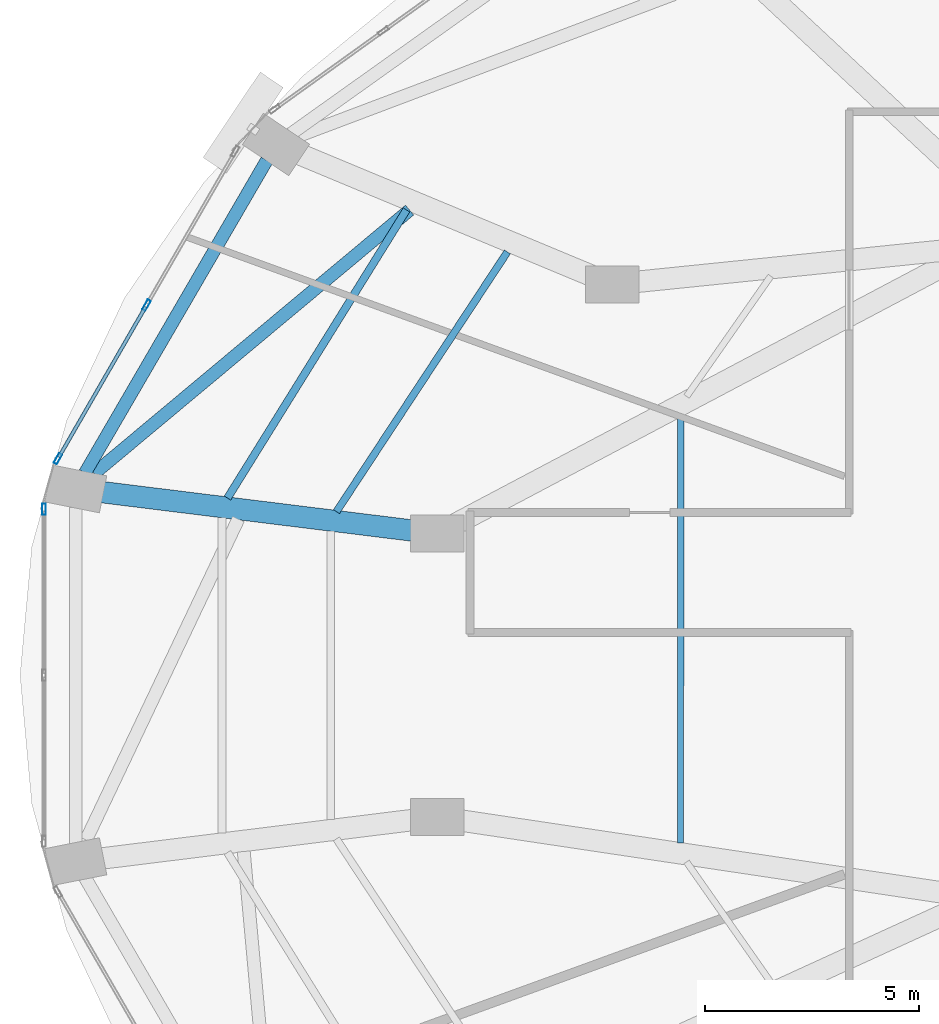
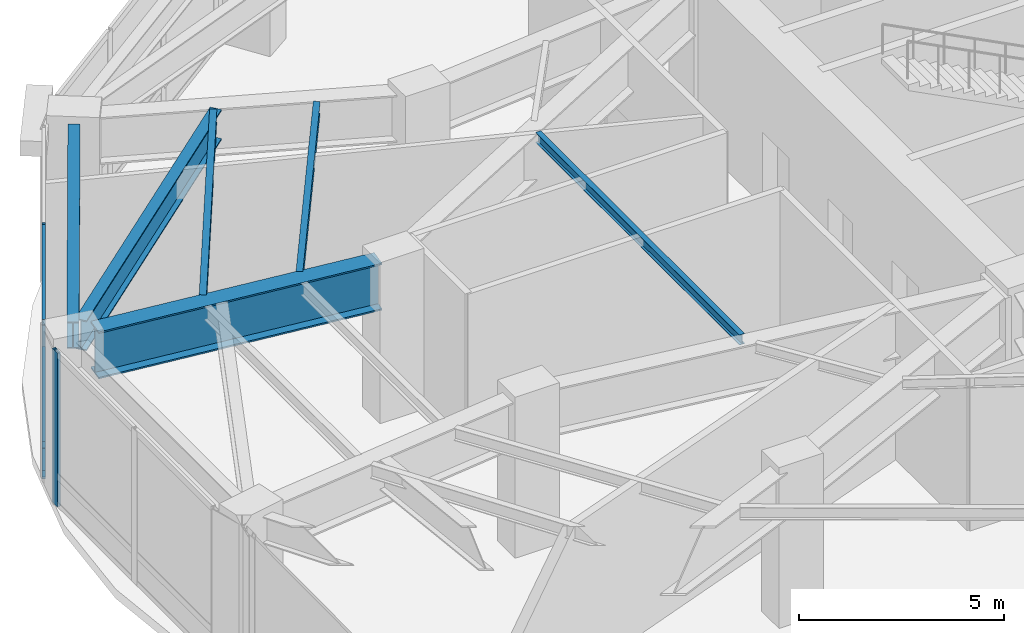
# One storey, part 8 of 24: 6 beams, 6 members, 2 elements without a shape of their own.
"""IFC4 building model written with IfcOpenShell, lengths in metres."""

import ifcopenshell
import ifcopenshell.guid

model = None  # the IFC model being written
_history = None  # IfcOwnerHistory: only IFC2X3 demands one
_inside = {}  # id of a spatial element -> (the spatial element, [elements in it])
_under = {}  # id of a project, library or spatial element -> (it, [spatial elements below it])
_declared = {}  # id of a project -> (the project, [libraries it declares])
_typed = {}  # id of a type object -> (the type object, [elements of that type])
_made_of = {}  # id of a material, layer set ... -> (it, [elements and type objects made of it])


def new_model(schema):
    """Start an empty IFC model of exactly this schema.

    Asked for "IFC4X3", IfcOpenShell would pick the latest addendum, in which some entities
    have other attributes; the version numbers below select the first issue.
    IFC2X3 requires an IfcOwnerHistory on every rooted entity: one is made here for all.
    """
    global model, _history
    if schema == "IFC4X3":
        model = ifcopenshell.file(schema_version=(4, 3, 0, 0))
    else:
        model = ifcopenshell.file(schema=schema)
    _inside.clear()
    _under.clear()
    _declared.clear()
    _typed.clear()
    _made_of.clear()
    _history = None
    if model.schema == "IFC2X3":
        org = make("IfcOrganization", Name="unknown")
        user = make(
            "IfcPersonAndOrganization",
            ThePerson=make("IfcPerson", FamilyName="unknown"),
            TheOrganization=org,
        )
        app = make(
            "IfcApplication",
            ApplicationDeveloper=org,
            Version="unknown",
            ApplicationFullName="unknown",
            ApplicationIdentifier="unknown",
        )
        _history = make(
            "IfcOwnerHistory",
            OwningUser=user,
            OwningApplication=app,
            ChangeAction="ADDED",
            CreationDate=0,
        )
    return model


def make(cls, **values):
    """One entity of the class cls with the attributes given. An attribute that is None is left unset."""
    return model.create_entity(
        cls, **{name: value for name, value in values.items() if value is not None}
    )


def rooted(cls, **values):
    """An entity with a GlobalId (a new one), such as an element, a storey or a relation."""
    return make(cls, GlobalId=ifcopenshell.guid.new(), OwnerHistory=_history, **values)


def si_unit(unit_type, name, prefix=None):
    """IfcSIUnit, for example si_unit("LENGTHUNIT", "METRE", prefix="MILLI")."""
    return make("IfcSIUnit", UnitType=unit_type, Prefix=prefix, Name=name)


def assignment(units):
    """IfcUnitAssignment: the units of a project."""
    return None if units is None else make("IfcUnitAssignment", Units=units)


def point(xyz):
    """IfcCartesianPoint."""
    return None if xyz is None else make("IfcCartesianPoint", Coordinates=xyz)


def direction(xyz):
    """IfcDirection."""
    return None if xyz is None else make("IfcDirection", DirectionRatios=xyz)


def frame(location, z_axis=None, x_axis=None):
    """IfcAxis2Placement3D, a coordinate frame: its origin and axes. An axis left out is left unset."""
    return make(
        "IfcAxis2Placement3D",
        Location=point(location),
        Axis=direction(z_axis),
        RefDirection=direction(x_axis),
    )


def frame_2d(location, x_axis=None):
    """IfcAxis2Placement2D, a coordinate frame in the plane: its origin and x axis."""
    return make(
        "IfcAxis2Placement2D", Location=point(location), RefDirection=direction(x_axis)
    )


def origin():
    """The frame at (0, 0, 0) with its axes left unset."""
    return frame((0.0, 0.0, 0.0))


def origin_2d():
    """The frame at (0, 0) in the plane with its x axis left unset."""
    return frame_2d((0.0, 0.0))


def place(relative_to, where):
    """IfcLocalPlacement: puts the frame where relative to a parent placement (None: the world)."""
    return make(
        "IfcLocalPlacement", PlacementRelTo=relative_to, RelativePlacement=where
    )


def context(
    kind, dimensions, precision=None, world=None, true_north=None, identifier=None
):
    """IfcGeometricRepresentationContext, for example the 3D "Model" context."""
    return make(
        "IfcGeometricRepresentationContext",
        ContextIdentifier=identifier,
        ContextType=kind,
        CoordinateSpaceDimension=dimensions,
        Precision=precision,
        WorldCoordinateSystem=world,
        TrueNorth=true_north,
    )


def subcontext(parent, identifier, kind, view, scale=None):
    """IfcGeometricRepresentationSubContext, for example "Body" below "Model"."""
    return make(
        "IfcGeometricRepresentationSubContext",
        ContextIdentifier=identifier,
        ContextType=kind,
        ParentContext=parent,
        TargetScale=scale,
        TargetView=view,
    )


def project(units=None, contexts=None):
    """IfcProject with its units and contexts."""
    return rooted(
        "IfcProject",
        Name="project",
        RepresentationContexts=contexts,
        UnitsInContext=assignment(units),
    )


def spatial(cls, under=None, at=None, **own):
    """A site, building, storey or space (cls), placed at a placement, below another one or the project."""
    s = rooted(cls, ObjectPlacement=at, **own)
    if under is not None:
        _under.setdefault(under.id(), (under, []))[1].append(s)
    return s


def profile(cls, at=None, kind="AREA", **sizes):
    """A parametric profile (cls). Its sizes go by their IFC names, for example OverallWidth=200.0."""
    return make(cls, ProfileType=kind, Position=at, **sizes)


def hollow_rectangle(**sizes):
    """IfcRectangleHollowProfileDef."""
    return profile("IfcRectangleHollowProfileDef", **sizes)


def i_section(**sizes):
    """IfcIShapeProfileDef."""
    return profile("IfcIShapeProfileDef", **sizes)


def extrude(swept, where, along, depth):
    """IfcExtrudedAreaSolid: the profile swept, set in the frame where, extruded along a direction by depth."""
    return make(
        "IfcExtrudedAreaSolid",
        SweptArea=swept,
        Position=where,
        ExtrudedDirection=direction(along),
        Depth=depth,
    )


def shape(context_of_items, identifier, shape_type, items):
    """IfcShapeRepresentation: the items that make up one representation, for example the "Body"."""
    return make(
        "IfcShapeRepresentation",
        ContextOfItems=context_of_items,
        RepresentationIdentifier=identifier,
        RepresentationType=shape_type,
        Items=items,
    )


def material(Name=None, Category=None):
    """IfcMaterial."""
    return make("IfcMaterial", Name=Name, Category=Category)


def layer(
    of_material, thickness, ventilated=None, Name=None, Category=None, Priority=None
):
    """IfcMaterialLayer: one layer of a wall or slab, of a material (None: an air gap)."""
    return make(
        "IfcMaterialLayer",
        Material=of_material,
        LayerThickness=thickness,
        IsVentilated=ventilated,
        Name=Name,
        Category=Category,
        Priority=Priority,
    )


def layer_set(layers, Name=None):
    """IfcMaterialLayerSet."""
    return make("IfcMaterialLayerSet", MaterialLayers=layers, LayerSetName=Name)


def material_profile(
    of_material, cross_section, Name=None, Category=None, Priority=None
):
    """IfcMaterialProfile: a cross section and its material."""
    return make(
        "IfcMaterialProfile",
        Name=Name,
        Material=of_material,
        Profile=cross_section,
        Priority=Priority,
        Category=Category,
    )


def profile_set(profiles, Name=None, composite=None):
    """IfcMaterialProfileSet."""
    return make(
        "IfcMaterialProfileSet",
        Name=Name,
        MaterialProfiles=profiles,
        CompositeProfile=composite,
    )


def made_of(thing, what):
    """Note that an element or type object is made of a material, layer set ...; save() writes the relation."""
    if what is not None:
        _made_of.setdefault(what.id(), (what, []))[1].append(thing)
    return thing


def type_object(cls, material=None, **own):
    """A type object (cls), such as IfcWallType, which elements share."""
    return made_of(rooted(cls, **own), material)


def element(
    cls,
    number,
    at=None,
    inside=None,
    cuts=None,
    type_object=None,
    material=None,
    context=None,
    identifier="Body",
    shape_type=None,
    held_by="IfcProductDefinitionShape",
    body=None,
    shapes=None,
    **own,
):
    """One element of the class cls, such as IfcWall. Its Tag is "e" and its number.

    at: its placement. inside: the storey or other place that contains it. cuts: it is an
    opening in that element (IfcRelVoidsElement). A single representation is given by context,
    identifier, shape_type and body (its items); several are given by shapes. held_by: the class
    of the entity that holds the representations. save() writes the other relations.
    """
    e = rooted(cls, Tag="e%d" % number, ObjectPlacement=at, **own)
    if body is not None:
        shapes = [shape(context, identifier, shape_type, body)]
    if shapes is not None:
        e.Representation = make(held_by, Representations=shapes)
    if inside is not None:
        _inside.setdefault(inside.id(), (inside, []))[1].append(e)
    if cuts is not None:
        rooted(
            "IfcRelVoidsElement", RelatingBuildingElement=cuts, RelatedOpeningElement=e
        )
    if type_object is not None:
        _typed.setdefault(type_object.id(), (type_object, []))[1].append(e)
    return made_of(e, material)


def aggregate(whole, parts):
    """IfcRelAggregates: a whole, such as a stair, and the parts it consists of."""
    return rooted("IfcRelAggregates", RelatingObject=whole, RelatedObjects=parts)


def save(model, path):
    """Write the relations noted so far, then the file.

    IfcRelAggregates (storeys below a building ...), IfcRelContainedInSpatialStructure (elements
    in a storey), IfcRelDefinesByType, IfcRelAssociatesMaterial and IfcRelDeclares: one each for
    every whole, place, type object, material and project.
    """
    for whole, parts in _under.values():
        aggregate(whole, parts)
    for where, things in _inside.values():
        rooted(
            "IfcRelContainedInSpatialStructure",
            RelatedElements=things,
            RelatingStructure=where,
        )
    for kind, things in _typed.values():
        rooted("IfcRelDefinesByType", RelatedObjects=things, RelatingType=kind)
    for what, things in _made_of.values():
        rooted("IfcRelAssociatesMaterial", RelatedObjects=things, RelatingMaterial=what)
    for by, libraries in _declared.values():
        rooted("IfcRelDeclares", RelatingContext=by, RelatedDefinitions=libraries)
    model.write(path)


model = new_model("IFC4")

# Units and contexts
model_context = context("Model", 3, precision=1e-05, world=origin(), true_north=direction((0.0, 1.0)))
body_context = subcontext(model_context, "Body", "Model", "MODEL_VIEW")
ifc_project = project(units=[si_unit("LENGTHUNIT", "METRE"), si_unit("AREAUNIT", "SQUARE_METRE"), si_unit("VOLUMEUNIT", "CUBIC_METRE"), si_unit("PLANEANGLEUNIT", "RADIAN"), si_unit("MASSUNIT", "GRAM", prefix="KILO")], contexts=[model_context])

# Site, building, storey
site_placement = place(None, origin())
site = spatial("IfcSite", under=ifc_project, at=site_placement, CompositionType="ELEMENT")
building_placement = place(site_placement, origin())
building = spatial("IfcBuilding", under=site, at=building_placement, Name="Lazwardi Medical Tower", CompositionType="ELEMENT")
storey_placement = place(building_placement, frame((0.0, 0.0, 20.39990234375)))
storey = spatial("IfcBuildingStorey", under=building, at=storey_placement, Name="L04", CompositionType="ELEMENT", Elevation=20.39990234375)

# Beams
ifc_material_1 = material(Name="Steel S460", Category="steel")
ifc_material_profile_1 = material_profile(ifc_material_1, i_section(OverallWidth=0.300048828125, OverallDepth=0.89990234375, WebThickness=0.0185546875, FlangeThickness=0.034912109375, at=origin_2d()), Name="HEB 900")
ifc_profile_set_1 = profile_set([ifc_material_profile_1], Name="Steel S460")
beam_type_1 = type_object("IfcBeamType", Name="BM-HB-01", PredefinedType="BEAM", material=ifc_profile_set_1)
beam_1_placement = place(storey_placement, frame((13.092041015625, 36.45703125, 4.130126953125), z_axis=(-0.767532240903, -0.641010342486, 0.0), x_axis=(0.641010342486, -0.767532240903, 0.0)))
element("IfcBeam", 1, at=beam_1_placement, inside=storey, type_object=beam_type_1, Name="Transfer girder tie HB-01 M11 L04", PredefinedType="BEAM", context=body_context, shape_type="SweptSolid", body=[
    extrude(i_section(OverallWidth=0.300048828125, OverallDepth=0.89990234375, WebThickness=0.0185546875, FlangeThickness=0.034912109375, at=origin_2d()), origin(), (0.0, 0.0, 1.0), 9.59033203125),
])
ifc_material_2 = material(Name="Steel S355", Category="steel")
ifc_material_profile_2 = material_profile(ifc_material_2, i_section(OverallWidth=0.300048828125, OverallDepth=0.800048828125, WebThickness=0.017578125, FlangeThickness=0.032958984375, at=origin_2d()), Name="HEB 800")
ifc_profile_set_2 = profile_set([ifc_material_profile_2], Name="Steel S355")
beam_type_2 = type_object("IfcBeamType", Name="BM-RB-P1", PredefinedType="BEAM", material=ifc_profile_set_2)
beam_2_placement = place(storey_placement, frame((9.7587890625, 37.617431640625, 4.18017578125), z_axis=(-0.502605874383, -0.864515665003, 0.0), x_axis=(0.864515665003, -0.502605874383, 0.0)))
element("IfcBeam", 2, at=beam_2_placement, inside=storey, type_object=beam_type_2, Name="Ring beam RB-01 B11 L04", PredefinedType="BEAM", context=body_context, shape_type="SweptSolid", body=[
    extrude(i_section(OverallWidth=0.300048828125, OverallDepth=0.800048828125, WebThickness=0.017578125, FlangeThickness=0.032958984375, at=origin_2d()), origin(), (0.0, 0.0, 1.0), 8.4384765625),
])
ifc_material_profile_3 = material_profile(ifc_material_2, i_section(OverallWidth=0.179931640625, OverallDepth=0.39990234375, WebThickness=0.008544921875, FlangeThickness=0.013427734375, at=origin_2d()), Name="IPE 400")
ifc_profile_set_3 = profile_set([ifc_material_profile_3], Name="Steel S355")
beam_type_3 = type_object("IfcBeamType", Name="BM-SJ-01", PredefinedType="JOIST", material=ifc_profile_set_3)
beam_3_placement = place(storey_placement, frame((13.01953125, 36.460693359375, 4.380126953125), z_axis=(-0.527668366356, -0.849450466565, 0.0), x_axis=(0.849450466565, -0.527668366356, 0.0)))
element("IfcBeam", 3, at=beam_3_placement, inside=storey, type_object=beam_type_3, Name="Secondary joist SJ-01 RO1 B11 L04", PredefinedType="JOIST", context=body_context, shape_type="SweptSolid", body=[
    extrude(i_section(OverallWidth=0.179931640625, OverallDepth=0.39990234375, WebThickness=0.008544921875, FlangeThickness=0.013427734375, at=origin_2d()), origin(), (0.0, 0.0, 1.0), 7.91650390625),
])
ifc_material_profile_4 = material_profile(ifc_material_2, i_section(OverallWidth=0.169921875, OverallDepth=0.360107421875, WebThickness=0.008056640625, FlangeThickness=0.0126953125, at=origin_2d()), Name="IPE 360")
ifc_profile_set_4 = profile_set([ifc_material_profile_4], Name="Steel S355")
beam_type_4 = type_object("IfcBeamType", Name="BM-SJ-02", PredefinedType="JOIST", material=ifc_profile_set_4)
beam_4_placement = place(storey_placement, frame((15.375, 35.48193359375, 4.400146484375), z_axis=(-0.549714723532, -0.835352454196, 0.0), x_axis=(0.835352454196, -0.549714723532, 0.0)))
element("IfcBeam", 4, at=beam_4_placement, inside=storey, type_object=beam_type_4, Name="Secondary joist SJ-02 RO2 B11 L04", PredefinedType="JOIST", context=body_context, shape_type="SweptSolid", body=[
    extrude(i_section(OverallWidth=0.169921875, OverallDepth=0.360107421875, WebThickness=0.008056640625, FlangeThickness=0.0126953125, at=origin_2d()), origin(), (0.0, 0.0, 1.0), 7.25830078125),
])
ifc_material_profile_5 = material_profile(ifc_material_2, i_section(OverallWidth=0.14990234375, OverallDepth=0.300048828125, WebThickness=0.007080078125, FlangeThickness=0.0107421875, at=origin_2d()), Name="IPE 300")
ifc_profile_set_5 = profile_set([ifc_material_profile_5], Name="Steel S355")
beam_type_5 = type_object("IfcBeamType", Name="BM-SJ-03", PredefinedType="JOIST", material=ifc_profile_set_5)
beam_5_placement = place(storey_placement, frame((19.4169921875, 31.66357421875, 4.43017578125), z_axis=(-0.000220302053, -0.999999975734, 0.0), x_axis=(0.999999975734, -0.000220302053, 0.0)))
element("IfcBeam", 5, at=beam_5_placement, inside=storey, type_object=beam_type_5, Name="Secondary joist SJ-03 RI1 B12 L04", PredefinedType="JOIST", context=body_context, shape_type="SweptSolid", body=[
    extrude(i_section(OverallWidth=0.14990234375, OverallDepth=0.300048828125, WebThickness=0.007080078125, FlangeThickness=0.0107421875, at=origin_2d()), origin(), (0.0, 0.0, 1.0), 9.973876953125),
])
ifc_material_profile_6 = material_profile(ifc_material_1, i_section(OverallWidth=0.5, OverallDepth=1.39990234375, WebThickness=0.028076171875, FlangeThickness=0.044921875, at=origin_2d()), Name="PG 1400x500")
ifc_profile_set_6 = profile_set([ifc_material_profile_6], Name="Steel S460")
beam_type_6 = type_object("IfcBeamType", Name="BM-TG-01", PredefinedType="BEAM", material=ifc_profile_set_6)
beam_6_placement = place(storey_placement, frame((5.876953125, 29.879150390625, 3.880126953125), z_axis=(0.992421549031, -0.122879896728, 0.0), x_axis=(0.122879896728, 0.992421549031, 0.0)))
element("IfcBeam", 6, at=beam_6_placement, inside=storey, type_object=beam_type_6, Name="Transfer girder TG-01 M12A L04", PredefinedType="BEAM", context=body_context, shape_type="SweptSolid", body=[
    extrude(i_section(OverallWidth=0.5, OverallDepth=1.39990234375, WebThickness=0.028076171875, FlangeThickness=0.044921875, at=origin_2d()), origin(), (0.0, 0.0, 1.0), 7.52001953125),
])

# Curtain wall, members
ifc_material_3 = material(Name="Anodised bronze aluminium and solar control glazing", Category="aluminium")
ifc_layer = layer(ifc_material_3, 0.219970703125)
ifc_layer_set = layer_set([ifc_layer], Name="Anodised bronze aluminium and solar control glazing")
curtain_wall_type = type_object("IfcCurtainWallType", Name="CW-SYS-01", PredefinedType="NOTDEFINED", material=ifc_layer_set)
curtain_wall_1_placement = place(storey_placement, origin())
curtain_wall_1 = element("IfcCurtainWall", 7, at=curtain_wall_1_placement, inside=storey, type_object=curtain_wall_type, Name="L04 Unitised bronze curtain wall CW-01", PredefinedType="NOTDEFINED")
ifc_material_4 = material(Name="Anodised bronze aluminium", Category="aluminium")
ifc_material_profile_7 = material_profile(ifc_material_4, hollow_rectangle(XDim=0.0849609375, YDim=0.260009765625, WallThickness=0.0048828125, at=origin_2d()), Name="ALU-MULLION 260x85x5")
ifc_profile_set_7 = profile_set([ifc_material_profile_7], Name="Anodised bronze aluminium")
member_type_1 = type_object("IfcMemberType", Name="CW-MUL-02", PredefinedType="MULLION", material=ifc_profile_set_7)
member_1_placement = place(storey_placement, frame((6.95361328125, 34.238037109375, 0.0), z_axis=(0.0, 0.0, 1.0), x_axis=(0.866180607783, -0.499731082384, 0.0)))
member_1 = element("IfcMember", 8, at=member_1_placement, type_object=member_type_1, Name="CW-01 mullion 2", PredefinedType="MULLION", context=body_context, shape_type="SweptSolid", body=[
    extrude(hollow_rectangle(XDim=0.0849609375, YDim=0.260009765625, WallThickness=0.0048828125, at=origin_2d()), origin(), (0.0, 0.0, 1.0), 4.580078125),
])
member_2_placement = place(storey_placement, frame((4.8857421875, 30.654052734375, 0.0), z_axis=(0.0, 0.0, 1.0), x_axis=(0.866180607783, -0.499731082384, 0.0)))
member_2 = element("IfcMember", 9, at=member_2_placement, type_object=member_type_1, Name="CW-01 mullion 3", PredefinedType="MULLION", context=body_context, shape_type="SweptSolid", body=[
    extrude(hollow_rectangle(XDim=0.0849609375, YDim=0.260009765625, WallThickness=0.0048828125, at=origin_2d()), origin(), (0.0, 0.0, 1.0), 4.580078125),
])

# Curtain wall, member
curtain_wall_2_placement = place(storey_placement, origin())
curtain_wall_2 = element("IfcCurtainWall", 10, at=curtain_wall_2_placement, inside=storey, type_object=curtain_wall_type, Name="L04 Unitised bronze curtain wall CW-01", PredefinedType="NOTDEFINED")
member_3_placement = place(storey_placement, frame((4.560302734375, 29.476806640625, 0.0), z_axis=(0.0, 0.0, 1.0), x_axis=(1.0, 0.0, 0.0)))
member_3 = element("IfcMember", 11, at=member_3_placement, type_object=member_type_1, Name="CW-01 mullion 1", PredefinedType="MULLION", context=body_context, shape_type="SweptSolid", body=[
    extrude(hollow_rectangle(XDim=0.0849609375, YDim=0.260009765625, WallThickness=0.0048828125, at=origin_2d()), origin(), (0.0, 0.0, 1.0), 4.580078125),
])
aggregate(curtain_wall_2, [member_3])

# Member
ifc_material_profile_8 = material_profile(ifc_material_4, hollow_rectangle(XDim=0.0849609375, YDim=0.199951171875, WallThickness=0.00439453125, at=origin_2d()), Name="ALU-TRANSOM 200x85x4.5")
ifc_profile_set_8 = profile_set([ifc_material_profile_8], Name="Anodised bronze aluminium")
member_type_2 = type_object("IfcMemberType", Name="CW-TRN-02", PredefinedType="USERDEFINED", material=ifc_profile_set_8)
member_4_placement = place(storey_placement, frame((6.932373046875, 34.201171875, 0.04248046875), z_axis=(-0.499767651026, -0.866159508975, 0.0), x_axis=(0.866159508975, -0.499767651026, 0.0)))
member_4 = element("IfcMember", 12, at=member_4_placement, type_object=member_type_2, Name="CW-01 transom 2.1", ObjectType="TRANSOM", PredefinedType="USERDEFINED", context=body_context, shape_type="SweptSolid", body=[
    extrude(hollow_rectangle(XDim=0.0849609375, YDim=0.199951171875, WallThickness=0.00439453125, at=origin_2d()), origin(), (0.0, 0.0, 1.0), 4.052734375),
])

member_5_placement = place(storey_placement, frame((6.932373046875, 34.201171875, 0.900146484375), z_axis=(-0.499767651026, -0.866159508975, 0.0), x_axis=(0.866159508975, -0.499767651026, 0.0)))
member_5 = element("IfcMember", 13, at=member_5_placement, type_object=member_type_2, Name="CW-01 transom 2.2", ObjectType="TRANSOM", PredefinedType="USERDEFINED", context=body_context, shape_type="SweptSolid", body=[
    extrude(hollow_rectangle(XDim=0.0849609375, YDim=0.199951171875, WallThickness=0.00439453125, at=origin_2d()), origin(), (0.0, 0.0, 1.0), 4.052734375),
])

member_6_placement = place(storey_placement, frame((6.932373046875, 34.201171875, 4.53759765625), z_axis=(-0.499767651026, -0.866159508975, 0.0), x_axis=(0.866159508975, -0.499767651026, 0.0)))
member_6 = element("IfcMember", 14, at=member_6_placement, type_object=member_type_2, Name="CW-01 transom 2.3", ObjectType="TRANSOM", PredefinedType="USERDEFINED", context=body_context, shape_type="SweptSolid", body=[
    extrude(hollow_rectangle(XDim=0.0849609375, YDim=0.199951171875, WallThickness=0.00439453125, at=origin_2d()), origin(), (0.0, 0.0, 1.0), 4.052734375),
])

aggregate(curtain_wall_1, [member_1, member_2, member_4, member_5, member_6])

save(model, "model.ifc")
